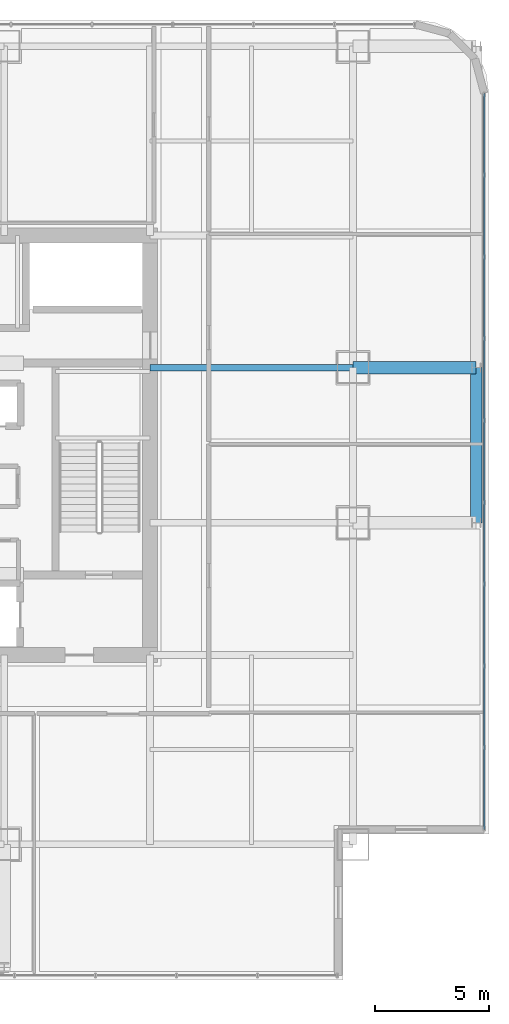
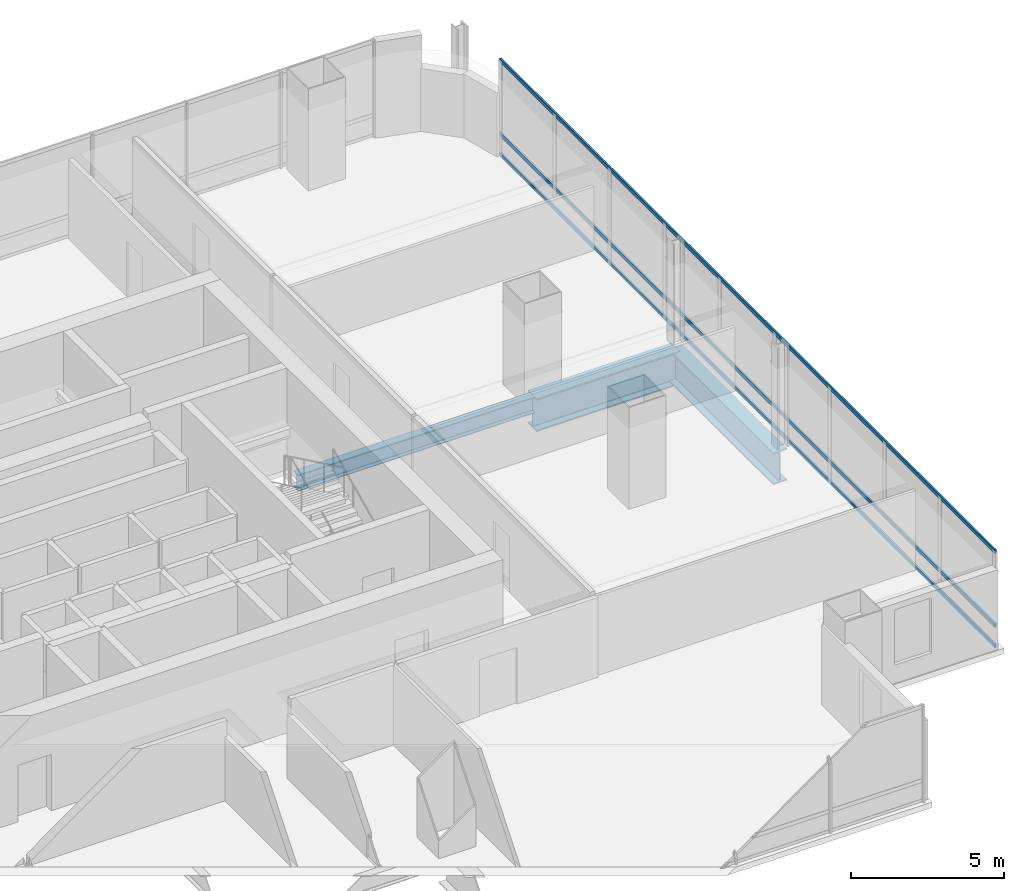
# One storey, part 19 of 36: 3 beams, 3 members, 1 element without a shape of its own.
"""IFC4 building model written with IfcOpenShell, lengths in metres."""

from ifc_helpers import new_model, si_unit, direction, frame, origin, origin_2d, place, context, subcontext, project, spatial, hollow_rectangle, i_section, extrude, material, material_profile, profile_set, type_object, element, aggregate, save


model = new_model("IFC4")

# Units and contexts
model_context = context("Model", 3, precision=1e-05, world=origin(), true_north=direction((0.0, 1.0)))
body_context = subcontext(model_context, "Body", "Model", "MODEL_VIEW")
ifc_project = project(units=[si_unit("LENGTHUNIT", "METRE"), si_unit("AREAUNIT", "SQUARE_METRE"), si_unit("VOLUMEUNIT", "CUBIC_METRE"), si_unit("PLANEANGLEUNIT", "RADIAN"), si_unit("MASSUNIT", "GRAM", prefix="KILO")], contexts=[model_context])

# Site, building, storey
site_placement = place(None, origin())
site = spatial("IfcSite", under=ifc_project, at=site_placement, CompositionType="ELEMENT")
building_placement = place(site_placement, origin())
building = spatial("IfcBuilding", under=site, at=building_placement, Name="Punatoya Terracotta Tower", CompositionType="ELEMENT")
storey_placement = place(building_placement, frame((0.0, 0.0, 228.89990234375)))
storey = spatial("IfcBuildingStorey", under=building, at=storey_placement, Name="L54", CompositionType="ELEMENT", Elevation=228.89990234375)

# Beams
ifc_material_1 = material(Name="Steel S355", Category="steel")
ifc_material_profile_1 = material_profile(ifc_material_1, i_section(OverallWidth=0.300048828125, OverallDepth=0.64990234375, WebThickness=0.01611328125, FlangeThickness=0.031005859375, FilletRadius=0.01806640625, at=origin_2d()))
ifc_profile_set_1 = profile_set([ifc_material_profile_1], Name="Steel S355")
beam_type_1 = type_object("IfcBeamType", Name="BM-PRI-650", PredefinedType="BEAM", material=ifc_profile_set_1)
beam_1_placement = place(storey_placement, frame((10.199951171875, 3.39990234375, -0.544921875), z_axis=(1.0, 0.0, 0.0), x_axis=(0.0, 1.0, 0.0)))
element("IfcBeam", 1, at=beam_1_placement, inside=storey, type_object=beam_type_1, Name="BM-L54-PR-EE", PredefinedType="BEAM", context=body_context, shape_type="SweptSolid", body=[
    extrude(i_section(OverallWidth=0.300048828125, OverallDepth=0.64990234375, WebThickness=0.01611328125, FlangeThickness=0.031005859375, FilletRadius=0.01806640625, at=origin_2d()), origin(), (0.0, 0.0, 1.0), 8.900146484375),
])
ifc_material_2 = material(Name="Steel S460", Category="steel")
ifc_material_profile_2 = material_profile(ifc_material_2, i_section(OverallWidth=0.56005859375, OverallDepth=1.320068359375, WebThickness=0.035888671875, FlangeThickness=0.054931640625, FilletRadius=0.01806640625, at=origin_2d()))
ifc_profile_set_2 = profile_set([ifc_material_profile_2], Name="Steel S460")
beam_type_2 = type_object("IfcBeamType", Name="BM-TG-BLK", PredefinedType="BEAM", material=ifc_profile_set_2)
beam_2_placement = place(storey_placement, frame((19.10009765625, 3.39990234375, -0.8798828125), z_axis=(1.0, 0.0, 0.0), x_axis=(0.0, 1.0, 0.0)))
element("IfcBeam", 2, at=beam_2_placement, inside=storey, type_object=beam_type_2, Name="BM-L54-CANT-E3", PredefinedType="BEAM", context=body_context, shape_type="SweptSolid", body=[
    extrude(i_section(OverallWidth=0.56005859375, OverallDepth=1.320068359375, WebThickness=0.035888671875, FlangeThickness=0.054931640625, FilletRadius=0.01806640625, at=origin_2d()), origin(), (0.0, 0.0, 1.0), 5.39990234375),
])
ifc_material_profile_3 = material_profile(ifc_material_2, i_section(OverallWidth=0.52001953125, OverallDepth=1.280029296875, WebThickness=0.031982421875, FlangeThickness=0.050048828125, FilletRadius=0.01806640625, at=origin_2d()))
ifc_profile_set_3 = profile_set([ifc_material_profile_3], Name="Steel S460")
beam_type_3 = type_object("IfcBeamType", Name="BM-TG-NCK", PredefinedType="BEAM", material=ifc_profile_set_3)
beam_3_placement = place(storey_placement, frame((24.5, -3.39990234375, -0.85986328125), z_axis=(0.0, 1.0, 0.0), x_axis=(-1.0, 0.0, 0.0)))
element("IfcBeam", 3, at=beam_3_placement, inside=storey, type_object=beam_type_3, Name="BM-L54-PER-E1", PredefinedType="BEAM", context=body_context, shape_type="SweptSolid", body=[
    extrude(i_section(OverallWidth=0.52001953125, OverallDepth=1.280029296875, WebThickness=0.031982421875, FlangeThickness=0.050048828125, FilletRadius=0.01806640625, at=origin_2d()), origin(), (0.0, 0.0, 1.0), 6.7998046875),
])

# Curtain wall, members
ifc_material_3 = material(Name="Aluminium 6063-T6 + Double Low-E Glass", Category="aluminium")
curtain_wall_type = type_object("IfcCurtainWallType", Name="CW-M2", PredefinedType="NOTDEFINED", material=ifc_material_3)
curtain_wall_placement = place(storey_placement, origin())
curtain_wall = element("IfcCurtainWall", 4, at=curtain_wall_placement, inside=storey, type_object=curtain_wall_type, Name="L54 Curtain Wall CW-L54-E04-1", PredefinedType="NOTDEFINED")
ifc_material_4 = material(Name="Aluminium 6063-T6", Category="aluminium")
ifc_material_profile_4 = material_profile(ifc_material_4, hollow_rectangle(XDim=0.068115234375, YDim=0.14990234375, WallThickness=0.00390625, at=origin_2d()))
ifc_profile_set_4 = profile_set([ifc_material_profile_4], Name="Aluminium 6063-T6")
member_type = type_object("IfcMemberType", Name="CW-TRN-TYP", PredefinedType="USERDEFINED", material=ifc_profile_set_4)
member_1_placement = place(storey_placement, frame((24.85009765625, -16.85009765625, 0.0400390625), z_axis=(0.0, 1.0, 0.0), x_axis=(-1.0, 0.0, 0.0)))
member_1 = element("IfcMember", 5, at=member_1_placement, type_object=member_type, Name="CW-L54-E04-1 Transom 1", ObjectType="TRANSOM", PredefinedType="USERDEFINED", context=body_context, shape_type="SweptSolid", body=[
    extrude(hollow_rectangle(XDim=0.068115234375, YDim=0.14990234375, WallThickness=0.00390625, at=origin_2d()), origin(), (0.0, 0.0, 1.0), 32.287109375),
])
member_2_placement = place(storey_placement, frame((24.85009765625, -16.85009765625, 0.85009765625), z_axis=(0.0, 1.0, 0.0), x_axis=(-1.0, 0.0, 0.0)))
member_2 = element("IfcMember", 6, at=member_2_placement, type_object=member_type, Name="CW-L54-E04-1 Transom 2", ObjectType="TRANSOM", PredefinedType="USERDEFINED", context=body_context, shape_type="SweptSolid", body=[
    extrude(hollow_rectangle(XDim=0.068115234375, YDim=0.14990234375, WallThickness=0.00390625, at=origin_2d()), origin(), (0.0, 0.0, 1.0), 32.287109375),
])
member_3_placement = place(storey_placement, frame((24.85009765625, -16.85009765625, 3.7900390625), z_axis=(0.0, 1.0, 0.0), x_axis=(-1.0, 0.0, 0.0)))
member_3 = element("IfcMember", 7, at=member_3_placement, type_object=member_type, Name="CW-L54-E04-1 Transom 3", ObjectType="TRANSOM", PredefinedType="USERDEFINED", context=body_context, shape_type="SweptSolid", body=[
    extrude(hollow_rectangle(XDim=0.068115234375, YDim=0.14990234375, WallThickness=0.00390625, at=origin_2d()), origin(), (0.0, 0.0, 1.0), 32.287109375),
])
aggregate(curtain_wall, [member_1, member_2, member_3])

save(model, "model.ifc")
